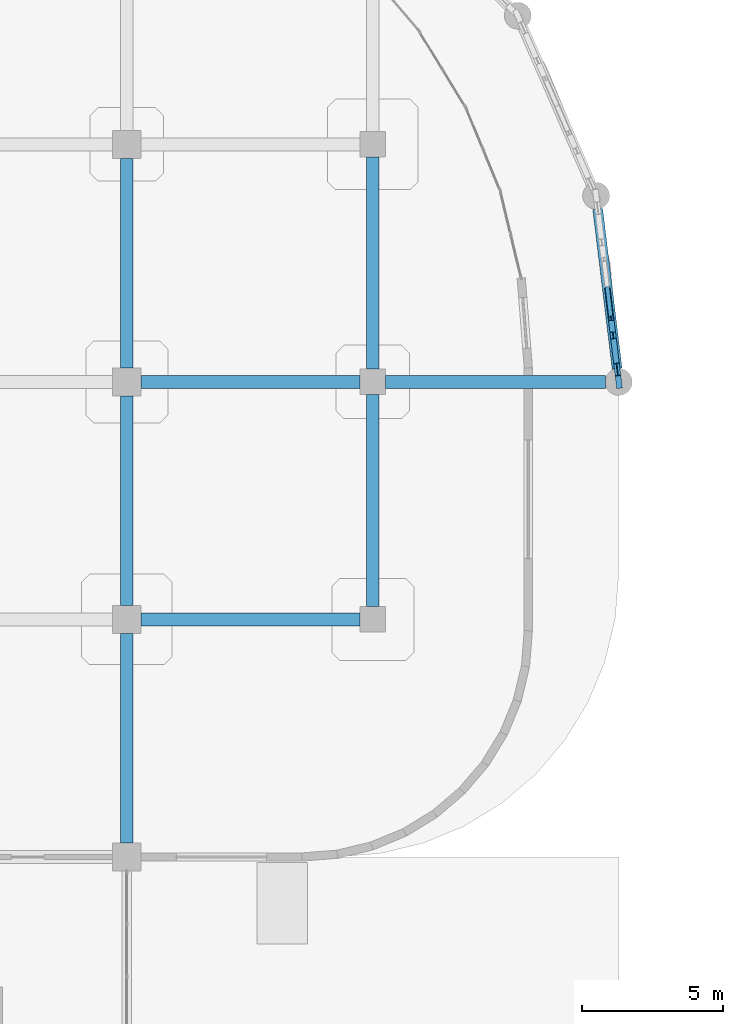
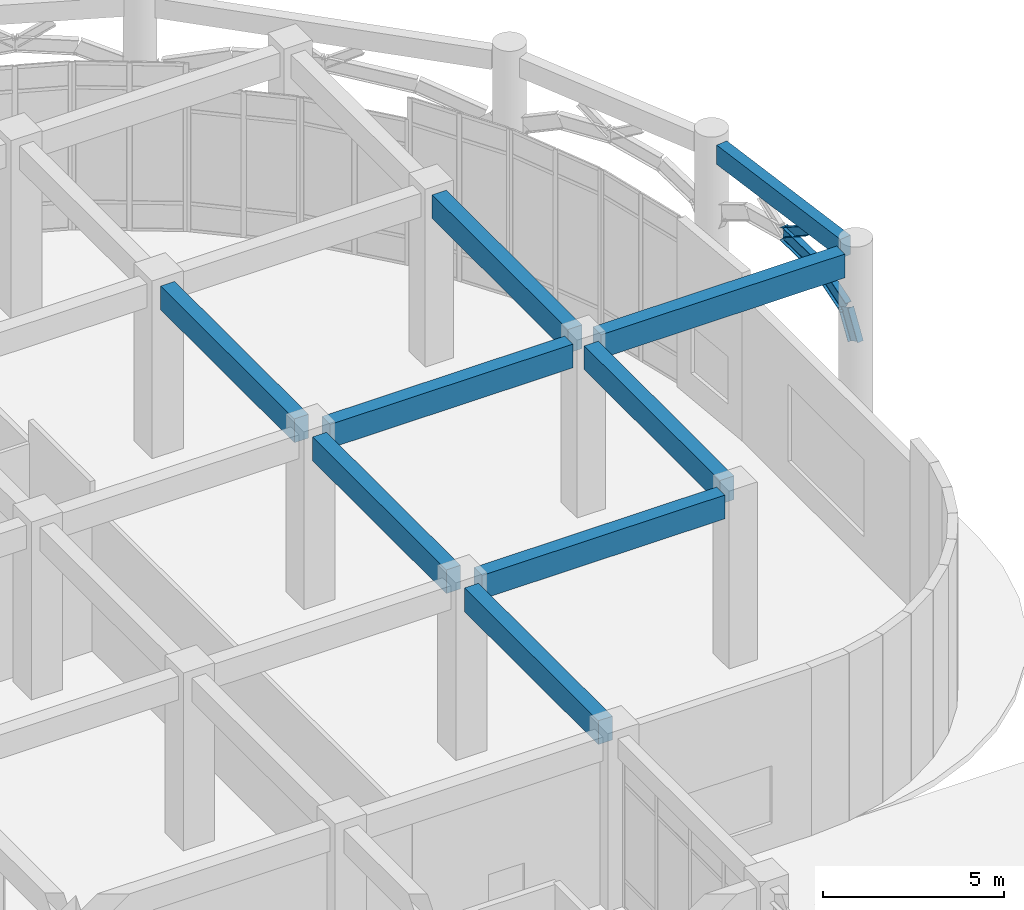
# One storey, part 43 of 82: 12 beams, 1 member.
"""IFC4 building model written with IfcOpenShell, lengths in metres."""

from ifc_helpers import new_model, si_unit, derived_unit, direction, frame, origin, origin_2d, place, context, subcontext, project, spatial, rectangle, i_section, extrude, material, material_profile, profile_set, type_object, element, save


model = new_model("IFC4")

# Units and contexts
model_context = context("Model", 3, precision=1e-05, world=origin(), true_north=direction((0.0, 1.0)))
body_context = subcontext(model_context, "Body", "Model", "MODEL_VIEW")
ifc_project = project(units=[si_unit("LENGTHUNIT", "METRE"), si_unit("AREAUNIT", "SQUARE_METRE"), si_unit("VOLUMEUNIT", "CUBIC_METRE"), si_unit("PLANEANGLEUNIT", "RADIAN"), si_unit("MASSUNIT", "GRAM", prefix="KILO"), derived_unit("THERMALTRANSMITTANCEUNIT", [(si_unit("MASSUNIT", "GRAM", prefix="KILO"), 1), (si_unit("TIMEUNIT", "SECOND"), -3), (si_unit("THERMODYNAMICTEMPERATUREUNIT", "KELVIN"), -1)])], contexts=[model_context])

# Site, building, storey
site_placement = place(None, origin())
site = spatial("IfcSite", under=ifc_project, at=site_placement, CompositionType="ELEMENT")
building_placement = place(site_placement, origin())
building = spatial("IfcBuilding", under=site, at=building_placement, Name="Qinzheling Arcade Emporium", CompositionType="ELEMENT")
storey_placement = place(building_placement, origin())
storey = spatial("IfcBuildingStorey", under=building, at=storey_placement, Name="L01", CompositionType="ELEMENT", Elevation=0.0)

# Beams
ifc_material_1 = material(Name="Weathering steel Q355NH", Category="steel")
ifc_material_profile_1 = material_profile(ifc_material_1, i_section(OverallWidth=0.199951171875, OverallDepth=0.5, WebThickness=0.010009765625, FlangeThickness=0.01611328125, FilletRadius=0.01806640625, at=origin_2d()), Name="HN 500x200x10x16", Category="steel")
ifc_profile_set_1 = profile_set([ifc_material_profile_1], Name="Weathering steel Q355NH")
beam_type_1 = type_object("IfcBeamType", Name="Arcade End Arch Rib HN500 Q355NH", PredefinedType="BEAM", material=ifc_profile_set_1)
beam_1_placement = place(storey_placement, frame((147.89990234375, 90.60009765625, 2.489990234375), z_axis=(-0.053182540342, 0.434604831939, 0.899049641265), x_axis=(-0.992595857829, -0.121463834208, 0.0)))
element("IfcBeam", 1, at=beam_1_placement, inside=storey, type_object=beam_type_1, Name="Curved Arcade Entrance Arch ARC-L01-CV6-B01-C01", PredefinedType="BEAM", context=body_context, shape_type="SweptSolid", body=[
    extrude(i_section(OverallWidth=0.199951171875, OverallDepth=0.5, WebThickness=0.010009765625, FlangeThickness=0.01611328125, FilletRadius=0.01806640625, at=origin_2d()), origin(), (0.0, 0.0, 1.0), 1.014404296875),
])
beam_2_placement = place(storey_placement, frame((147.845947265625, 91.041015625, 3.402099609375), z_axis=(-0.105436181001, 0.869584021229, 0.48239697528), x_axis=(-0.992729409614, -0.120367434499, 0.0)))
element("IfcBeam", 2, at=beam_2_placement, inside=storey, type_object=beam_type_1, Name="Curved Arcade Entrance Arch ARC-L01-CV6-B01-C02", PredefinedType="BEAM", context=body_context, shape_type="SweptSolid", body=[
    extrude(i_section(OverallWidth=0.199951171875, OverallDepth=0.5, WebThickness=0.010009765625, FlangeThickness=0.01611328125, FilletRadius=0.01806640625, at=origin_2d()), origin(), (0.0, 0.0, 1.0), 1.384765625),
])
beam_3_placement = place(storey_placement, frame((147.699951171875, 92.2451171875, 4.070068359375), z_axis=(-0.119296866285, 0.982050637966, 0.146098604254), x_axis=(-0.992702301076, -0.120590801629, 0.0)))
element("IfcBeam", 3, at=beam_3_placement, inside=storey, type_object=beam_type_1, Name="Curved Arcade Entrance Arch ARC-L01-CV6-B01-C03", PredefinedType="BEAM", context=body_context, shape_type="SweptSolid", body=[
    extrude(i_section(OverallWidth=0.199951171875, OverallDepth=0.5, WebThickness=0.010009765625, FlangeThickness=0.01611328125, FilletRadius=0.01806640625, at=origin_2d()), origin(), (0.0, 0.0, 1.0), 1.676025390625),
])

# Member
ifc_material_profile_2 = material_profile(ifc_material_1, i_section(OverallWidth=0.14990234375, OverallDepth=0.300048828125, WebThickness=0.006591796875, FlangeThickness=0.009033203125, FilletRadius=0.012939453125, at=origin_2d()), Name="HN 300x150x6.5x9", Category="steel")
ifc_profile_set_2 = profile_set([ifc_material_profile_2], Name="Weathering steel Q355NH")
member_type = type_object("IfcMemberType", Name="Arcade Spandrel Web Chord HN300 Q355NH", PredefinedType="CHORD", material=ifc_profile_set_2)
member_placement = place(storey_placement, frame((147.5, 93.89111328125, 4.324951171875), z_axis=(0.10247102363, -0.847570404758, 0.520695782867), x_axis=(0.99277078385, 0.120025708638, 0.0)))
element("IfcMember", 4, at=member_placement, inside=storey, type_object=member_type, Name="Arcade Spandrel Web Chord ASW-L01-CV6-B01-W1", PredefinedType="CHORD", context=body_context, shape_type="SweptSolid", body=[
    extrude(i_section(OverallWidth=0.14990234375, OverallDepth=0.300048828125, WebThickness=0.006591796875, FlangeThickness=0.009033203125, FilletRadius=0.012939453125, at=origin_2d()), origin(), (0.0, 0.0, 1.0), 1.2294921875),
])

# Beams
ifc_material_2 = material(Name="Concrete C40", Category="concrete")
ifc_material_profile_3 = material_profile(ifc_material_2, rectangle(XDim=0.449951171875, YDim=0.800048828125, at=origin_2d()), Name="RC 450x800", Category="concrete")
ifc_profile_set_3 = profile_set([ifc_material_profile_3], Name="Concrete C40")
beam_type_2 = type_object("IfcBeamType", Name="RC Primary Frame Beam 450x800 C40", PredefinedType="BEAM", material=ifc_profile_set_3)
for number, where, z_axis, x_axis, name in (
    (5, (131.0, 82.199951171875, 5.3349609375), (1.0, 0.0, 0.0), (0.0, 1.0, 0.0), "Beam BM-L01-X-K-16"),
    (6, (131.0, 90.60009765625, 5.3349609375), (1.0, 0.0, 0.0), (0.0, 1.0, 0.0), "Beam BM-L01-X-L-16"),
):
    element("IfcBeam", number, at=place(storey_placement, frame(where, z_axis=z_axis, x_axis=x_axis)), inside=storey, type_object=beam_type_2, Name=name, PredefinedType="BEAM", context=body_context, shape_type="SweptSolid", body=[
        extrude(rectangle(XDim=0.449951171875, YDim=0.800048828125, at=origin_2d()), origin(), (0.0, 0.0, 1.0), 7.75),
    ])
beam_4_placement = place(storey_placement, frame((139.64990234375, 90.60009765625, 5.3349609375), z_axis=(1.0, 0.0, 0.0), x_axis=(0.0, 1.0, 0.0)))
element("IfcBeam", 7, at=beam_4_placement, inside=storey, type_object=beam_type_2, Name="Beam BM-L01-X-L-17", PredefinedType="BEAM", context=body_context, shape_type="SweptSolid", body=[
    extrude(rectangle(XDim=0.449951171875, YDim=0.800048828125, at=origin_2d()), origin(), (0.0, 0.0, 1.0), 7.775146484375),
])
beam_5_placement = place(storey_placement, frame((130.5, 74.300048828125, 5.3349609375), z_axis=(0.0, 1.0, 0.0), x_axis=(-1.0, 0.0, 0.0)))
element("IfcBeam", 8, at=beam_5_placement, inside=storey, type_object=beam_type_2, Name="Beam BM-L01-Y-16-J", PredefinedType="BEAM", context=body_context, shape_type="SweptSolid", body=[
    extrude(rectangle(XDim=0.449951171875, YDim=0.800048828125, at=origin_2d()), origin(), (0.0, 0.0, 1.0), 7.39990234375),
])
beam_6_placement = place(storey_placement, frame((130.5, 82.699951171875, 5.3349609375), z_axis=(0.0, 1.0, 0.0), x_axis=(-1.0, 0.0, 0.0)))
element("IfcBeam", 9, at=beam_6_placement, inside=storey, type_object=beam_type_2, Name="Beam BM-L01-Y-16-K", PredefinedType="BEAM", context=body_context, shape_type="SweptSolid", body=[
    extrude(rectangle(XDim=0.449951171875, YDim=0.800048828125, at=origin_2d()), origin(), (0.0, 0.0, 1.0), 7.400146484375),
])
beam_7_placement = place(storey_placement, frame((130.5, 91.10009765625, 5.3349609375), z_axis=(0.0, 1.0, 0.0), x_axis=(-1.0, 0.0, 0.0)))
element("IfcBeam", 10, at=beam_7_placement, inside=storey, type_object=beam_type_2, Name="Beam BM-L01-Y-16-L", PredefinedType="BEAM", context=body_context, shape_type="SweptSolid", body=[
    extrude(rectangle(XDim=0.449951171875, YDim=0.800048828125, at=origin_2d()), origin(), (0.0, 0.0, 1.0), 7.39990234375),
])
for number, where, z_axis, x_axis, name in (
    (11, (139.199951171875, 82.64990234375, 5.3349609375), (0.0, 1.0, 0.0), (-1.0, 0.0, 0.0), "Beam BM-L01-Y-17-K"),
    (12, (139.199951171875, 91.050048828125, 5.3349609375), (0.0, 1.0, 0.0), (-1.0, 0.0, 0.0), "Beam BM-L01-Y-17-L"),
):
    element("IfcBeam", number, at=place(storey_placement, frame(where, z_axis=z_axis, x_axis=x_axis)), inside=storey, type_object=beam_type_2, Name=name, PredefinedType="BEAM", context=body_context, shape_type="SweptSolid", body=[
        extrude(rectangle(XDim=0.449951171875, YDim=0.800048828125, at=origin_2d()), origin(), (0.0, 0.0, 1.0), 7.5),
    ])
ifc_material_profile_4 = material_profile(ifc_material_2, rectangle(XDim=0.35009765625, YDim=0.64990234375, at=origin_2d()), Name="RC 350x650", Category="concrete")
ifc_profile_set_4 = profile_set([ifc_material_profile_4], Name="Concrete C40")
beam_type_3 = type_object("IfcBeamType", Name="RC Spandrel Edge Beam 350x650 C40", PredefinedType="SPANDREL", material=ifc_profile_set_4)
beam_8_placement = place(storey_placement, frame((147.843017578125, 91.06689453125, 5.409912109375), z_axis=(-0.120743975831, 0.992683681895, 0.0), x_axis=(-0.992683681895, -0.120743975831, 0.0)))
element("IfcBeam", 13, at=beam_8_placement, inside=storey, type_object=beam_type_3, Name="Curved Arcade Spandrel BM-L01-CV6-B01", PredefinedType="SPANDREL", context=body_context, shape_type="SweptSolid", body=[
    extrude(rectangle(XDim=0.35009765625, YDim=0.64990234375, at=origin_2d()), origin(), (0.0, 0.0, 1.0), 5.68994140625),
])

save(model, "model.ifc")
